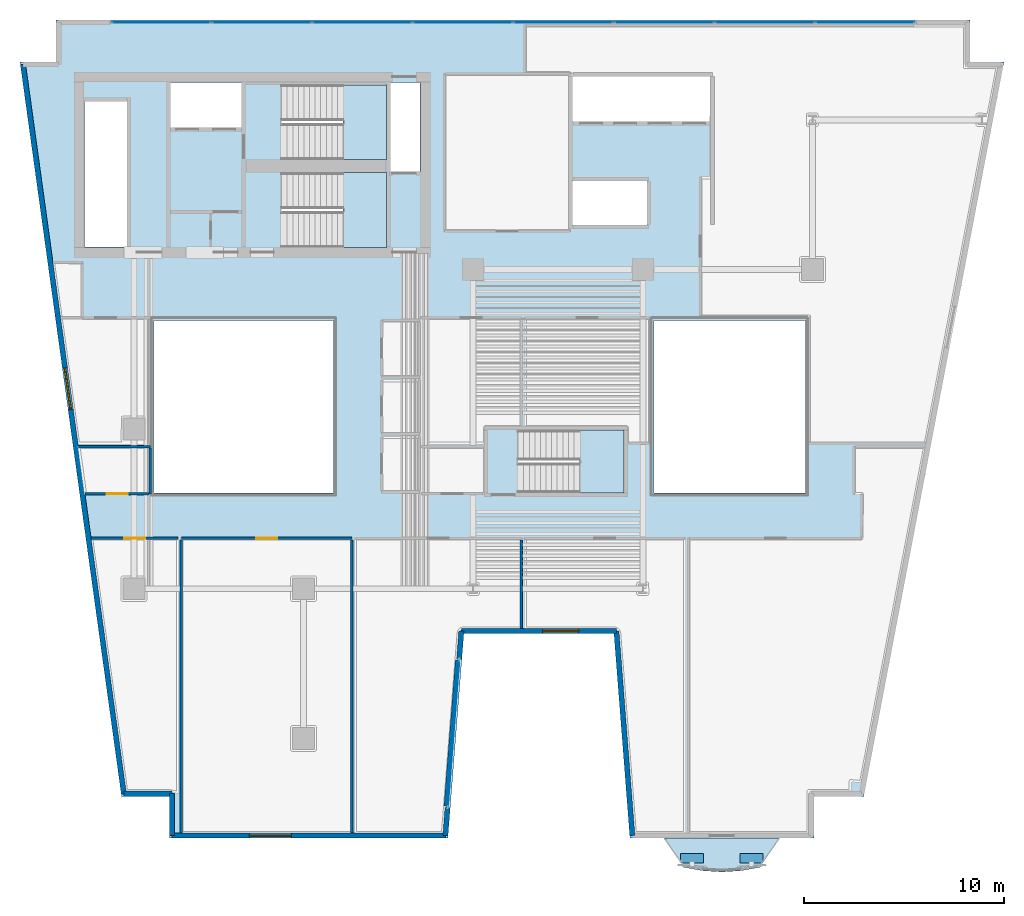
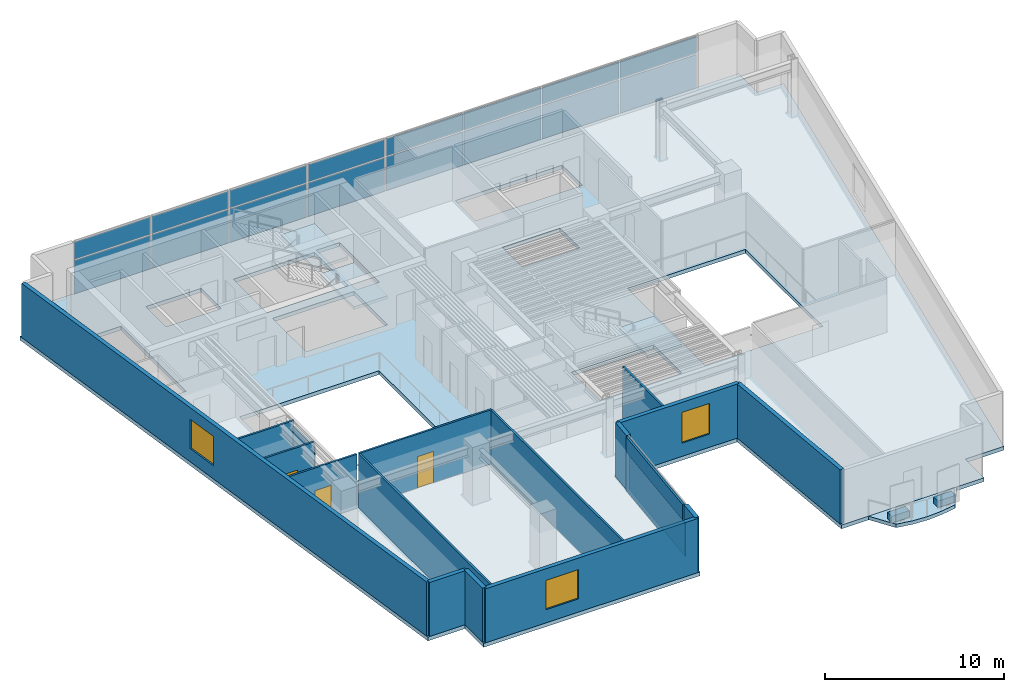
# One storey, part 5 of 12: 20 plates, 17 walls, 5 slabs, 3 doors, 3 windows, 6 openings, 5 elements without a shape of their own.
"""IFC4 building model written with IfcOpenShell, lengths in metres."""

import ifcopenshell
import ifcopenshell.guid

model = None  # the IFC model being written
_history = None  # IfcOwnerHistory: only IFC2X3 demands one
_inside = {}  # id of a spatial element -> (the spatial element, [elements in it])
_under = {}  # id of a project, library or spatial element -> (it, [spatial elements below it])
_declared = {}  # id of a project -> (the project, [libraries it declares])
_typed = {}  # id of a type object -> (the type object, [elements of that type])
_made_of = {}  # id of a material, layer set ... -> (it, [elements and type objects made of it])


def new_model(schema):
    """Start an empty IFC model of exactly this schema.

    Asked for "IFC4X3", IfcOpenShell would pick the latest addendum, in which some entities
    have other attributes; the version numbers below select the first issue.
    IFC2X3 requires an IfcOwnerHistory on every rooted entity: one is made here for all.
    """
    global model, _history
    if schema == "IFC4X3":
        model = ifcopenshell.file(schema_version=(4, 3, 0, 0))
    else:
        model = ifcopenshell.file(schema=schema)
    _inside.clear()
    _under.clear()
    _declared.clear()
    _typed.clear()
    _made_of.clear()
    _history = None
    if model.schema == "IFC2X3":
        org = make("IfcOrganization", Name="unknown")
        user = make(
            "IfcPersonAndOrganization",
            ThePerson=make("IfcPerson", FamilyName="unknown"),
            TheOrganization=org,
        )
        app = make(
            "IfcApplication",
            ApplicationDeveloper=org,
            Version="unknown",
            ApplicationFullName="unknown",
            ApplicationIdentifier="unknown",
        )
        _history = make(
            "IfcOwnerHistory",
            OwningUser=user,
            OwningApplication=app,
            ChangeAction="ADDED",
            CreationDate=0,
        )
    return model


def make(cls, **values):
    """One entity of the class cls with the attributes given. An attribute that is None is left unset."""
    return model.create_entity(
        cls, **{name: value for name, value in values.items() if value is not None}
    )


def rooted(cls, **values):
    """An entity with a GlobalId (a new one), such as an element, a storey or a relation."""
    return make(cls, GlobalId=ifcopenshell.guid.new(), OwnerHistory=_history, **values)


def si_unit(unit_type, name, prefix=None):
    """IfcSIUnit, for example si_unit("LENGTHUNIT", "METRE", prefix="MILLI")."""
    return make("IfcSIUnit", UnitType=unit_type, Prefix=prefix, Name=name)


def assignment(units):
    """IfcUnitAssignment: the units of a project."""
    return None if units is None else make("IfcUnitAssignment", Units=units)


def point(xyz):
    """IfcCartesianPoint."""
    return None if xyz is None else make("IfcCartesianPoint", Coordinates=xyz)


def direction(xyz):
    """IfcDirection."""
    return None if xyz is None else make("IfcDirection", DirectionRatios=xyz)


def frame(location, z_axis=None, x_axis=None):
    """IfcAxis2Placement3D, a coordinate frame: its origin and axes. An axis left out is left unset."""
    return make(
        "IfcAxis2Placement3D",
        Location=point(location),
        Axis=direction(z_axis),
        RefDirection=direction(x_axis),
    )


def frame_2d(location, x_axis=None):
    """IfcAxis2Placement2D, a coordinate frame in the plane: its origin and x axis."""
    return make(
        "IfcAxis2Placement2D", Location=point(location), RefDirection=direction(x_axis)
    )


def origin():
    """The frame at (0, 0, 0) with its axes left unset."""
    return frame((0.0, 0.0, 0.0))


def origin_2d():
    """The frame at (0, 0) in the plane with its x axis left unset."""
    return frame_2d((0.0, 0.0))


def place(relative_to, where):
    """IfcLocalPlacement: puts the frame where relative to a parent placement (None: the world)."""
    return make(
        "IfcLocalPlacement", PlacementRelTo=relative_to, RelativePlacement=where
    )


def context(
    kind, dimensions, precision=None, world=None, true_north=None, identifier=None
):
    """IfcGeometricRepresentationContext, for example the 3D "Model" context."""
    return make(
        "IfcGeometricRepresentationContext",
        ContextIdentifier=identifier,
        ContextType=kind,
        CoordinateSpaceDimension=dimensions,
        Precision=precision,
        WorldCoordinateSystem=world,
        TrueNorth=true_north,
    )


def subcontext(parent, identifier, kind, view, scale=None):
    """IfcGeometricRepresentationSubContext, for example "Body" below "Model"."""
    return make(
        "IfcGeometricRepresentationSubContext",
        ContextIdentifier=identifier,
        ContextType=kind,
        ParentContext=parent,
        TargetScale=scale,
        TargetView=view,
    )


def project(units=None, contexts=None):
    """IfcProject with its units and contexts."""
    return rooted(
        "IfcProject",
        Name="project",
        RepresentationContexts=contexts,
        UnitsInContext=assignment(units),
    )


def spatial(cls, under=None, at=None, **own):
    """A site, building, storey or space (cls), placed at a placement, below another one or the project."""
    s = rooted(cls, ObjectPlacement=at, **own)
    if under is not None:
        _under.setdefault(under.id(), (under, []))[1].append(s)
    return s


def polyline(points):
    """IfcPolyline through the points."""
    return make("IfcPolyline", Points=[point(p) for p in points])


def profile(cls, at=None, kind="AREA", **sizes):
    """A parametric profile (cls). Its sizes go by their IFC names, for example OverallWidth=200.0."""
    return make(cls, ProfileType=kind, Position=at, **sizes)


def rectangle(**sizes):
    """IfcRectangleProfileDef."""
    return profile("IfcRectangleProfileDef", **sizes)


def outline(outer, holes=None, kind="AREA"):
    """IfcArbitraryClosedProfileDef: a profile drawn as a closed curve; with holes, ...WithVoids."""
    if holes is None:
        return make("IfcArbitraryClosedProfileDef", ProfileType=kind, OuterCurve=outer)
    return make(
        "IfcArbitraryProfileDefWithVoids",
        ProfileType=kind,
        OuterCurve=outer,
        InnerCurves=holes,
    )


def extrude(swept, where, along, depth):
    """IfcExtrudedAreaSolid: the profile swept, set in the frame where, extruded along a direction by depth."""
    return make(
        "IfcExtrudedAreaSolid",
        SweptArea=swept,
        Position=where,
        ExtrudedDirection=direction(along),
        Depth=depth,
    )


def shape(context_of_items, identifier, shape_type, items):
    """IfcShapeRepresentation: the items that make up one representation, for example the "Body"."""
    return make(
        "IfcShapeRepresentation",
        ContextOfItems=context_of_items,
        RepresentationIdentifier=identifier,
        RepresentationType=shape_type,
        Items=items,
    )


def material(Name=None, Category=None):
    """IfcMaterial."""
    return make("IfcMaterial", Name=Name, Category=Category)


def layer(
    of_material, thickness, ventilated=None, Name=None, Category=None, Priority=None
):
    """IfcMaterialLayer: one layer of a wall or slab, of a material (None: an air gap)."""
    return make(
        "IfcMaterialLayer",
        Material=of_material,
        LayerThickness=thickness,
        IsVentilated=ventilated,
        Name=Name,
        Category=Category,
        Priority=Priority,
    )


def layer_set(layers, Name=None):
    """IfcMaterialLayerSet."""
    return make("IfcMaterialLayerSet", MaterialLayers=layers, LayerSetName=Name)


def made_of(thing, what):
    """Note that an element or type object is made of a material, layer set ...; save() writes the relation."""
    if what is not None:
        _made_of.setdefault(what.id(), (what, []))[1].append(thing)
    return thing


def type_object(cls, material=None, **own):
    """A type object (cls), such as IfcWallType, which elements share."""
    return made_of(rooted(cls, **own), material)


def element(
    cls,
    number,
    at=None,
    inside=None,
    cuts=None,
    type_object=None,
    material=None,
    context=None,
    identifier="Body",
    shape_type=None,
    held_by="IfcProductDefinitionShape",
    body=None,
    shapes=None,
    **own,
):
    """One element of the class cls, such as IfcWall. Its Tag is "e" and its number.

    at: its placement. inside: the storey or other place that contains it. cuts: it is an
    opening in that element (IfcRelVoidsElement). A single representation is given by context,
    identifier, shape_type and body (its items); several are given by shapes. held_by: the class
    of the entity that holds the representations. save() writes the other relations.
    """
    e = rooted(cls, Tag="e%d" % number, ObjectPlacement=at, **own)
    if body is not None:
        shapes = [shape(context, identifier, shape_type, body)]
    if shapes is not None:
        e.Representation = make(held_by, Representations=shapes)
    if inside is not None:
        _inside.setdefault(inside.id(), (inside, []))[1].append(e)
    if cuts is not None:
        rooted(
            "IfcRelVoidsElement", RelatingBuildingElement=cuts, RelatedOpeningElement=e
        )
    if type_object is not None:
        _typed.setdefault(type_object.id(), (type_object, []))[1].append(e)
    return made_of(e, material)


def fill(opening, filler):
    """IfcRelFillsElement: the door or window that sits in an opening."""
    return rooted(
        "IfcRelFillsElement",
        RelatingOpeningElement=opening,
        RelatedBuildingElement=filler,
    )


def aggregate(whole, parts):
    """IfcRelAggregates: a whole, such as a stair, and the parts it consists of."""
    return rooted("IfcRelAggregates", RelatingObject=whole, RelatedObjects=parts)


def save(model, path):
    """Write the relations noted so far, then the file.

    IfcRelAggregates (storeys below a building ...), IfcRelContainedInSpatialStructure (elements
    in a storey), IfcRelDefinesByType, IfcRelAssociatesMaterial and IfcRelDeclares: one each for
    every whole, place, type object, material and project.
    """
    for whole, parts in _under.values():
        aggregate(whole, parts)
    for where, things in _inside.values():
        rooted(
            "IfcRelContainedInSpatialStructure",
            RelatedElements=things,
            RelatingStructure=where,
        )
    for kind, things in _typed.values():
        rooted("IfcRelDefinesByType", RelatedObjects=things, RelatingType=kind)
    for what, things in _made_of.values():
        rooted("IfcRelAssociatesMaterial", RelatedObjects=things, RelatingMaterial=what)
    for by, libraries in _declared.values():
        rooted("IfcRelDeclares", RelatingContext=by, RelatedDefinitions=libraries)
    model.write(path)


model = new_model("IFC4")

# Units and contexts
model_context = context("Model", 3, precision=1e-05, world=origin(), true_north=direction((0.0, 1.0)))
body_context = subcontext(model_context, "Body", "Model", "MODEL_VIEW")
ifc_project = project(units=[si_unit("LENGTHUNIT", "METRE"), si_unit("AREAUNIT", "SQUARE_METRE"), si_unit("VOLUMEUNIT", "CUBIC_METRE"), si_unit("PLANEANGLEUNIT", "RADIAN"), si_unit("MASSUNIT", "GRAM", prefix="KILO")], contexts=[model_context])

# Site, building, storey
site_placement = place(None, origin())
site = spatial("IfcSite", under=ifc_project, at=site_placement, CompositionType="ELEMENT")
building_placement = place(site_placement, origin())
building = spatial("IfcBuilding", under=site, at=building_placement, Name="Caeloran Harvest Quay", CompositionType="ELEMENT")
storey_placement = place(building_placement, frame((0.0, 0.0, 154.85009765625)))
storey = spatial("IfcBuildingStorey", under=building, at=storey_placement, Name="L36", CompositionType="ELEMENT", Elevation=154.85009765625)

# Slab
ifc_material_1 = material(Name="Concrete C50/60", Category="concrete")
ifc_layer_1 = layer(ifc_material_1, 0.239990234375, Name="Concrete C50/60")
ifc_layer_set_1 = layer_set([ifc_layer_1], Name="Concrete C50/60")
slab_type_1 = type_object("IfcSlabType", Name="BALCONY-BL-240", PredefinedType="FLOOR", material=ifc_layer_set_1)
slab_1_placement = place(storey_placement, frame((0.0, 0.0, -0.239990234375)))
element("IfcSlab", 1, at=slab_1_placement, inside=storey, type_object=slab_type_1, Name="L36 Scalloped Cantilevered Planted Balcony Slab", PredefinedType="FLOOR", context=body_context, shape_type="SweptSolid", body=[
    extrude(outline(polyline([(39.869873046875, 1.04345703125), (38.913818359375, 0.8701171875), (37.95751953125, 0.806884765625), (37.001220703125, 0.8701171875), (36.045166015625, 1.04345703125), (35.10205078125, 2.5), (40.81298828125, 2.5), (39.869873046875, 1.04345703125)])), origin(), (0.0, 0.0, 1.0), 0.239990234375),
])

# Curtain wall, plates
ifc_material_2 = material(Name="Aluminium 6063-T6 and Low-E Glazing", Category="aluminium")
ifc_layer_2 = layer(ifc_material_2, 0.22998046875, Name="Aluminium 6063-T6 and Low-E Glazing")
ifc_layer_set_2 = layer_set([ifc_layer_2], Name="Aluminium 6063-T6 and Low-E Glazing")
curtain_wall_type = type_object("IfcCurtainWallType", Name="CW-SYS-CW-6", PredefinedType="USERDEFINED", material=ifc_layer_set_2)
curtain_wall_1_placement = place(storey_placement, origin())
curtain_wall_1 = element("IfcCurtainWall", 2, at=curtain_wall_1_placement, inside=storey, type_object=curtain_wall_type, Name="L36 Unitised Curtain Wall CW-6 Run 6", ObjectType="CURTAIN_WALL", PredefinedType="USERDEFINED")
ifc_material_3 = material(Name="Low-E Double Glazed Vision Glass Unit", Category="glass")
ifc_layer_3 = layer(ifc_material_3, 0.035888671875, Name="Low-E Double Glazed Vision Glass Unit")
ifc_layer_set_3 = layer_set([ifc_layer_3], Name="Low-E Double Glazed Vision Glass Unit")
plate_type_1 = type_object("IfcPlateType", Name="CW-VISION-PANEL", PredefinedType="CURTAIN_PANEL", material=ifc_layer_set_3)
plate_1_placement = place(storey_placement, frame((9.871337890625, 43.3701171875, 0.080078125), z_axis=(0.0, 0.0, 1.0), x_axis=(1.0, 0.0, 0.0)))
plate_1 = element("IfcPlate", 3, at=plate_1_placement, type_object=plate_type_1, Name="CW-6 panel 1.1", PredefinedType="CURTAIN_PANEL", context=body_context, shape_type="SweptSolid", body=[
    extrude(rectangle(XDim=4.922607421875, YDim=0.035888671875, at=origin_2d()), origin(), (0.0, 0.0, 1.0), 2.280029296875),
])
plate_2_placement = place(storey_placement, frame((9.871337890625, 43.3701171875, 2.43994140625), z_axis=(0.0, 0.0, 1.0), x_axis=(1.0, 0.0, 0.0)))
plate_2 = element("IfcPlate", 4, at=plate_2_placement, type_object=plate_type_1, Name="CW-6 panel 1.2", PredefinedType="CURTAIN_PANEL", context=body_context, shape_type="SweptSolid", body=[
    extrude(rectangle(XDim=4.922607421875, YDim=0.035888671875, at=origin_2d()), origin(), (0.0, 0.0, 1.0), 1.169921875),
])
plate_3_placement = place(storey_placement, frame((14.893798828125, 43.3701171875, 0.080078125), z_axis=(0.0, 0.0, 1.0), x_axis=(1.0, 0.0, 0.0)))
plate_3 = element("IfcPlate", 5, at=plate_3_placement, type_object=plate_type_1, Name="CW-6 panel 2.1", PredefinedType="CURTAIN_PANEL", context=body_context, shape_type="SweptSolid", body=[
    extrude(rectangle(XDim=4.96240234375, YDim=0.035888671875, at=origin_2d()), origin(), (0.0, 0.0, 1.0), 2.280029296875),
])
plate_4_placement = place(storey_placement, frame((14.893798828125, 43.3701171875, 2.43994140625), z_axis=(0.0, 0.0, 1.0), x_axis=(1.0, 0.0, 0.0)))
plate_4 = element("IfcPlate", 6, at=plate_4_placement, type_object=plate_type_1, Name="CW-6 panel 2.2", PredefinedType="CURTAIN_PANEL", context=body_context, shape_type="SweptSolid", body=[
    extrude(rectangle(XDim=4.96240234375, YDim=0.035888671875, at=origin_2d()), origin(), (0.0, 0.0, 1.0), 1.169921875),
])
plate_5_placement = place(storey_placement, frame((19.936279296875, 43.3701171875, 0.080078125), z_axis=(0.0, 0.0, 1.0), x_axis=(1.0, 0.0, 0.0)))
plate_5 = element("IfcPlate", 7, at=plate_5_placement, type_object=plate_type_1, Name="CW-6 panel 3.1", PredefinedType="CURTAIN_PANEL", context=body_context, shape_type="SweptSolid", body=[
    extrude(rectangle(XDim=4.96240234375, YDim=0.035888671875, at=origin_2d()), origin(), (0.0, 0.0, 1.0), 2.280029296875),
])
plate_6_placement = place(storey_placement, frame((19.936279296875, 43.3701171875, 2.43994140625), z_axis=(0.0, 0.0, 1.0), x_axis=(1.0, 0.0, 0.0)))
plate_6 = element("IfcPlate", 8, at=plate_6_placement, type_object=plate_type_1, Name="CW-6 panel 3.2", PredefinedType="CURTAIN_PANEL", context=body_context, shape_type="SweptSolid", body=[
    extrude(rectangle(XDim=4.96240234375, YDim=0.035888671875, at=origin_2d()), origin(), (0.0, 0.0, 1.0), 1.169921875),
])
plate_7_placement = place(storey_placement, frame((24.978759765625, 43.3701171875, 0.080078125), z_axis=(0.0, 0.0, 1.0), x_axis=(1.0, 0.0, 0.0)))
plate_7 = element("IfcPlate", 9, at=plate_7_placement, type_object=plate_type_1, Name="CW-6 panel 4.1", PredefinedType="CURTAIN_PANEL", context=body_context, shape_type="SweptSolid", body=[
    extrude(rectangle(XDim=4.96240234375, YDim=0.035888671875, at=origin_2d()), origin(), (0.0, 0.0, 1.0), 2.280029296875),
])
plate_8_placement = place(storey_placement, frame((24.978759765625, 43.3701171875, 2.43994140625), z_axis=(0.0, 0.0, 1.0), x_axis=(1.0, 0.0, 0.0)))
plate_8 = element("IfcPlate", 10, at=plate_8_placement, type_object=plate_type_1, Name="CW-6 panel 4.2", PredefinedType="CURTAIN_PANEL", context=body_context, shape_type="SweptSolid", body=[
    extrude(rectangle(XDim=4.96240234375, YDim=0.035888671875, at=origin_2d()), origin(), (0.0, 0.0, 1.0), 1.169921875),
])
plate_9_placement = place(storey_placement, frame((30.021240234375, 43.3701171875, 0.080078125), z_axis=(0.0, 0.0, 1.0), x_axis=(1.0, 0.0, 0.0)))
plate_9 = element("IfcPlate", 11, at=plate_9_placement, type_object=plate_type_1, Name="CW-6 panel 5.1", PredefinedType="CURTAIN_PANEL", context=body_context, shape_type="SweptSolid", body=[
    extrude(rectangle(XDim=4.96240234375, YDim=0.035888671875, at=origin_2d()), origin(), (0.0, 0.0, 1.0), 2.280029296875),
])
plate_10_placement = place(storey_placement, frame((30.021240234375, 43.3701171875, 2.43994140625), z_axis=(0.0, 0.0, 1.0), x_axis=(1.0, 0.0, 0.0)))
plate_10 = element("IfcPlate", 12, at=plate_10_placement, type_object=plate_type_1, Name="CW-6 panel 5.2", PredefinedType="CURTAIN_PANEL", context=body_context, shape_type="SweptSolid", body=[
    extrude(rectangle(XDim=4.96240234375, YDim=0.035888671875, at=origin_2d()), origin(), (0.0, 0.0, 1.0), 1.169921875),
])
plate_11_placement = place(storey_placement, frame((35.063720703125, 43.3701171875, 0.080078125), z_axis=(0.0, 0.0, 1.0), x_axis=(1.0, 0.0, 0.0)))
plate_11 = element("IfcPlate", 13, at=plate_11_placement, type_object=plate_type_1, Name="CW-6 panel 6.1", PredefinedType="CURTAIN_PANEL", context=body_context, shape_type="SweptSolid", body=[
    extrude(rectangle(XDim=4.96240234375, YDim=0.035888671875, at=origin_2d()), origin(), (0.0, 0.0, 1.0), 2.280029296875),
])
plate_12_placement = place(storey_placement, frame((35.063720703125, 43.3701171875, 2.43994140625), z_axis=(0.0, 0.0, 1.0), x_axis=(1.0, 0.0, 0.0)))
plate_12 = element("IfcPlate", 14, at=plate_12_placement, type_object=plate_type_1, Name="CW-6 panel 6.2", PredefinedType="CURTAIN_PANEL", context=body_context, shape_type="SweptSolid", body=[
    extrude(rectangle(XDim=4.96240234375, YDim=0.035888671875, at=origin_2d()), origin(), (0.0, 0.0, 1.0), 1.169921875),
])
plate_13_placement = place(storey_placement, frame((40.106201171875, 43.3701171875, 0.080078125), z_axis=(0.0, 0.0, 1.0), x_axis=(1.0, 0.0, 0.0)))
plate_13 = element("IfcPlate", 15, at=plate_13_placement, type_object=plate_type_1, Name="CW-6 panel 7.1", PredefinedType="CURTAIN_PANEL", context=body_context, shape_type="SweptSolid", body=[
    extrude(rectangle(XDim=4.96240234375, YDim=0.035888671875, at=origin_2d()), origin(), (0.0, 0.0, 1.0), 2.280029296875),
])
plate_14_placement = place(storey_placement, frame((40.106201171875, 43.3701171875, 2.43994140625), z_axis=(0.0, 0.0, 1.0), x_axis=(1.0, 0.0, 0.0)))
plate_14 = element("IfcPlate", 16, at=plate_14_placement, type_object=plate_type_1, Name="CW-6 panel 7.2", PredefinedType="CURTAIN_PANEL", context=body_context, shape_type="SweptSolid", body=[
    extrude(rectangle(XDim=4.96240234375, YDim=0.035888671875, at=origin_2d()), origin(), (0.0, 0.0, 1.0), 1.169921875),
])
plate_15_placement = place(storey_placement, frame((45.128662109375, 43.3701171875, 0.080078125), z_axis=(0.0, 0.0, 1.0), x_axis=(1.0, 0.0, 0.0)))
plate_15 = element("IfcPlate", 17, at=plate_15_placement, type_object=plate_type_1, Name="CW-6 panel 8.1", PredefinedType="CURTAIN_PANEL", context=body_context, shape_type="SweptSolid", body=[
    extrude(rectangle(XDim=4.922607421875, YDim=0.035888671875, at=origin_2d()), origin(), (0.0, 0.0, 1.0), 2.280029296875),
])
plate_16_placement = place(storey_placement, frame((45.128662109375, 43.3701171875, 2.43994140625), z_axis=(0.0, 0.0, 1.0), x_axis=(1.0, 0.0, 0.0)))
plate_16 = element("IfcPlate", 18, at=plate_16_placement, type_object=plate_type_1, Name="CW-6 panel 8.2", PredefinedType="CURTAIN_PANEL", context=body_context, shape_type="SweptSolid", body=[
    extrude(rectangle(XDim=4.922607421875, YDim=0.035888671875, at=origin_2d()), origin(), (0.0, 0.0, 1.0), 1.169921875),
])
aggregate(curtain_wall_1, [plate_1, plate_2, plate_3, plate_4, plate_5, plate_6, plate_7, plate_8, plate_9, plate_10, plate_11, plate_12, plate_13, plate_14, plate_15, plate_16])

curtain_wall_2_placement = place(storey_placement, origin())
curtain_wall_2 = element("IfcCurtainWall", 19, at=curtain_wall_2_placement, inside=storey, type_object=curtain_wall_type, Name="L36 Unitised Curtain Wall CW-6 Run 15", ObjectType="CURTAIN_WALL", PredefinedType="USERDEFINED")
plate_17_placement = place(storey_placement, frame((24.509765625, 7.7548828125, 0.080078125), z_axis=(0.0, 0.0, 1.0), x_axis=(-0.077821861046, -0.996967280277, 0.0)))
plate_17 = element("IfcPlate", 20, at=plate_17_placement, type_object=plate_type_1, Name="CW-6 panel 1.1", PredefinedType="CURTAIN_PANEL", context=body_context, shape_type="SweptSolid", body=[
    extrude(rectangle(XDim=7.3212890625, YDim=0.035888671875, at=origin_2d()), origin(), (0.0, 0.0, 1.0), 2.280029296875),
])
plate_18_placement = place(storey_placement, frame((24.509765625, 7.7548828125, 2.43994140625), z_axis=(0.0, 0.0, 1.0), x_axis=(-0.077821861046, -0.996967280277, 0.0)))
plate_18 = element("IfcPlate", 21, at=plate_18_placement, type_object=plate_type_1, Name="CW-6 panel 1.2", PredefinedType="CURTAIN_PANEL", context=body_context, shape_type="SweptSolid", body=[
    extrude(rectangle(XDim=7.3212890625, YDim=0.035888671875, at=origin_2d()), origin(), (0.0, 0.0, 1.0), 1.169921875),
])
aggregate(curtain_wall_2, [plate_17, plate_18])

# Plates
ifc_material_4 = material(Name="Precast concrete C50/60", Category="concrete")
ifc_layer_4 = layer(ifc_material_4, 0.449951171875, Name="Precast concrete C50/60")
ifc_layer_set_4 = layer_set([ifc_layer_4], Name="Precast concrete C50/60")
plate_type_2 = type_object("IfcPlateType", Name="PLANTER-TROUGH-450", PredefinedType="USERDEFINED", material=ifc_layer_set_4)
for number, where, z_axis, x_axis, name in (
    (22, (39.44921875, 1.49951171875, 0.0), (0.0, 0.0, 1.0), (1.0, 0.0, 0.0), "L36 Balcony Vertical-Greenery Precast PLANTER Trough 1"),
    (23, (36.4658203125, 1.49951171875, 0.0), (0.0, 0.0, 1.0), (1.0, 0.0, 0.0), "L36 Balcony Vertical-Greenery Precast PLANTER Trough 2"),
):
    element("IfcPlate", number, at=place(storey_placement, frame(where, z_axis=z_axis, x_axis=x_axis)), inside=storey, type_object=plate_type_2, Name=name, ObjectType="PLANTER", PredefinedType="USERDEFINED", context=body_context, shape_type="SweptSolid", body=[
        extrude(rectangle(XDim=1.14990234375, YDim=0.47998046875, at=origin_2d()), origin(), (0.0, 0.0, 1.0), 0.449951171875),
    ])

# Slab
ifc_layer_5 = layer(ifc_material_1, 0.260009765625, Name="Concrete C50/60")
ifc_layer_set_5 = layer_set([ifc_layer_5], Name="Concrete C50/60")
slab_type_2 = type_object("IfcSlabType", Name="SLAB-FS-260", PredefinedType="FLOOR", material=ifc_layer_set_5)
slab_2_placement = place(storey_placement, frame((0.0, 0.0, -0.260009765625)))
element("IfcSlab", 24, at=slab_2_placement, inside=storey, type_object=slab_type_2, Name="L36 Structural Floor Slab", PredefinedType="FLOOR", context=body_context, shape_type="SweptSolid", body=[
    extrude(outline(polyline([(10.27001953125, 2.5), (24.22998046875, 2.5), (25.030029296875, 12.75), (32.554931640625, 12.75), (33.35498046875, 2.5), (42.570068359375, 2.5), (42.570068359375, 4.60009765625), (45.071044921875, 4.60009765625), (52.09912109375, 41.39990234375), (50.39990234375, 41.39990234375), (50.39990234375, 43.5), (4.60009765625, 43.5), (4.60009765625, 41.39990234375), (2.790283203125, 41.39990234375), (7.879638671875, 4.60009765625), (10.27001953125, 4.60009765625), (10.27001953125, 2.5)]), holes=[polyline([(27.75, 19.800048828125), (27.75, 22.949951171875), (33.050048828125, 22.949951171875), (33.050048828125, 19.800048828125), (27.75, 19.800048828125)]), polyline([(18.5, 19.800048828125), (9.5, 19.800048828125), (9.5, 28.449951171875), (18.5, 28.449951171875), (18.5, 19.800048828125)]), polyline([(42.14990234375, 19.800048828125), (34.550048828125, 19.800048828125), (34.550048828125, 28.449951171875), (42.14990234375, 28.449951171875), (42.14990234375, 19.800048828125)]), polyline([(15.89990234375, 35.85009765625), (21.14990234375, 35.85009765625), (21.14990234375, 32.10009765625), (15.89990234375, 32.10009765625), (15.89990234375, 35.85009765625)]), polyline([(30.47998046875, 33.219970703125), (30.47998046875, 35.429931640625), (34.199951171875, 35.429931640625), (34.199951171875, 33.219970703125), (30.47998046875, 33.219970703125)]), polyline([(8.159912109375, 32.1201171875), (6.02001953125, 32.1201171875), (6.02001953125, 39.419921875), (8.159912109375, 39.419921875), (8.159912109375, 32.1201171875)]), polyline([(22.830078125, 35.919921875), (21.35009765625, 35.919921875), (21.35009765625, 40.3798828125), (22.830078125, 40.3798828125), (22.830078125, 35.919921875)]), polyline([(15.89990234375, 36.5), (15.89990234375, 40.25), (21.14990234375, 40.25), (21.14990234375, 36.5), (15.89990234375, 36.5)]), polyline([(10.320068359375, 38.1201171875), (10.320068359375, 40.3798828125), (13.89990234375, 40.3798828125), (13.89990234375, 38.1201171875), (10.320068359375, 38.1201171875)]), polyline([(30.47998046875, 38.419921875), (30.47998046875, 40.679931640625), (37.3798828125, 40.679931640625), (37.3798828125, 38.419921875), (30.47998046875, 38.419921875)])]), origin(), (0.0, 0.0, 1.0), 0.260009765625),
])

# Stair, slab
stair_type_1 = type_object("IfcStairType", Name="STAIR-STC-180", PredefinedType="HALF_TURN_STAIR", material=ifc_material_1)
stair_1_placement = place(storey_placement, origin())
stair_1 = element("IfcStair", 25, at=stair_1_placement, inside=storey, type_object=stair_type_1, Name="L36 Core Pressurized Exit Stair ST-C1", PredefinedType="HALF_TURN_STAIR")
ifc_layer_6 = layer(ifc_material_1, 0.219970703125, Name="Concrete C50/60")
ifc_layer_set_6 = layer_set([ifc_layer_6], Name="Concrete C50/60")
slab_type_3 = type_object("IfcSlabType", Name="STAIR-LANDING-220", PredefinedType="LANDING", material=ifc_layer_set_6)
slab_3_placement = place(storey_placement, frame((0.0, 0.0, 1.77490234375)))
slab_3 = element("IfcSlab", 26, at=slab_3_placement, type_object=slab_type_3, Name="ST-C1 landing 1", PredefinedType="LANDING", context=body_context, shape_type="SweptSolid", body=[
    extrude(outline(polyline([(18.97998046875, 36.5), (21.14990234375, 36.5), (21.14990234375, 40.25), (18.97998046875, 40.25), (18.97998046875, 36.5)])), origin(), (0.0, 0.0, 1.0), 0.199951171875),
])
aggregate(stair_1, [slab_3])

stair_2_placement = place(storey_placement, origin())
stair_2 = element("IfcStair", 27, at=stair_2_placement, inside=storey, type_object=stair_type_1, Name="L36 Core Pressurized Exit Stair ST-C2", PredefinedType="HALF_TURN_STAIR")
slab_4_placement = place(storey_placement, frame((0.0, 0.0, 1.77490234375)))
slab_4 = element("IfcSlab", 28, at=slab_4_placement, type_object=slab_type_3, Name="ST-C2 landing 1", PredefinedType="LANDING", context=body_context, shape_type="SweptSolid", body=[
    extrude(outline(polyline([(18.97998046875, 32.10009765625), (21.14990234375, 32.10009765625), (21.14990234375, 35.85009765625), (18.97998046875, 35.85009765625), (18.97998046875, 32.10009765625)])), origin(), (0.0, 0.0, 1.0), 0.199951171875),
])
aggregate(stair_2, [slab_4])

stair_type_2 = type_object("IfcStairType", Name="STAIR-STW-150", PredefinedType="HALF_TURN_STAIR", material=ifc_material_1)
stair_3_placement = place(storey_placement, origin())
stair_3 = element("IfcStair", 29, at=stair_3_placement, inside=storey, type_object=stair_type_2, Name="L36 East Wing Protected Exit Stair ST-W1", PredefinedType="HALF_TURN_STAIR")
slab_5_placement = place(storey_placement, frame((0.0, 0.0, 1.77490234375)))
slab_5 = element("IfcSlab", 30, at=slab_5_placement, type_object=slab_type_3, Name="ST-W1 landing 1", PredefinedType="LANDING", context=body_context, shape_type="SweptSolid", body=[
    extrude(outline(polyline([(30.830078125, 19.800048828125), (33.050048828125, 19.800048828125), (33.050048828125, 22.949951171875), (30.830078125, 22.949951171875), (30.830078125, 19.800048828125)])), origin(), (0.0, 0.0, 1.0), 0.199951171875),
])
aggregate(stair_3, [slab_5])

# Walls
ifc_layer_7 = layer(ifc_material_4, 0.260009765625, Name="Precast concrete C50/60")
ifc_layer_set_7 = layer_set([ifc_layer_7], Name="Precast concrete C50/60")
wall_type_1 = type_object("IfcWallType", Name="ENV-WALL-EW-260", PredefinedType="STANDARD", material=ifc_layer_set_7)
wall_1_placement = place(storey_placement, frame((10.39990234375, 2.6298828125, 0.0), z_axis=(0.0, 0.0, 1.0), x_axis=(0.0, 1.0, 0.0)))
element("IfcWall", 31, at=wall_1_placement, inside=storey, type_object=wall_type_1, Name="L36 Exterior Precast Concrete Facade Wall 1", PredefinedType="STANDARD", context=body_context, shape_type="SweptSolid", body=[
    extrude(rectangle(XDim=2.10009765625, YDim=0.260009765625, at=frame_2d((1.050048828125, 0.0))), origin(), (0.0, 0.0, 1.0), 3.68994140625),
])
wall_2_placement = place(storey_placement, frame((10.39990234375, 4.72998046875, 0.0), z_axis=(0.0, 0.0, 1.0), x_axis=(-1.0, 0.0, 0.0)))
element("IfcWall", 32, at=wall_2_placement, inside=storey, type_object=wall_type_1, Name="L36 Exterior Precast Concrete Facade Wall 2", PredefinedType="STANDARD", context=body_context, shape_type="SweptSolid", body=[
    extrude(rectangle(XDim=2.406982421875, YDim=0.260009765625, at=frame_2d((1.20361328125, 0.0))), origin(), (0.0, 0.0, 1.0), 3.68994140625),
])

# Wall, opening, window
wall_3_placement = place(storey_placement, frame((7.992919921875, 4.72998046875, 0.0), z_axis=(0.0, 0.0, 1.0), x_axis=(-0.136989009016, 0.990572567462, 0.0)))
wall_3 = element("IfcWall", 33, at=wall_3_placement, inside=storey, type_object=wall_type_1, Name="L36 Exterior Precast Concrete Facade Wall 3", PredefinedType="STANDARD", context=body_context, shape_type="SweptSolid", body=[
    extrude(rectangle(XDim=36.8876953125, YDim=0.260009765625, at=frame_2d((18.44384765625, 0.0))), origin(), (0.0, 0.0, 1.0), 3.68994140625),
])
opening_1_placement = place(wall_3_placement, frame((19.43505859375, 0.0, 0.89990234375)))
opening_1 = element("IfcOpeningElement", 34, at=opening_1_placement, cuts=wall_3, Name="Opening W-06", PredefinedType="OPENING", context=body_context, shape_type="SweptSolid", body=[
    extrude(rectangle(XDim=2.10009765625, YDim=2.0, at=frame_2d((1.050048828125, 1.0))), frame((0.0, 0.14013671875, 0.0), z_axis=(0.0, -1.0, 0.0), x_axis=(1.0, 0.0, 0.0)), (0.0, 0.0, 1.0), 0.280029296875),
])
ifc_material_5 = material(Name="Aluminium-Framed Low-E Laminated Glass", Category="aluminium")
window_type_1 = type_object("IfcWindowType", Name="WIN-W-06", PartitioningType="DOUBLE_PANEL_VERTICAL", PredefinedType="WINDOW", material=ifc_material_5)
window_1_placement = place(opening_1_placement, origin())
window_1 = element("IfcWindow", 35, at=window_1_placement, inside=storey, type_object=window_type_1, Name="L36 Facade Punched Window W-06", OverallHeight=2.0, OverallWidth=2.10009765625, PartitioningType="DOUBLE_PANEL_VERTICAL", PredefinedType="WINDOW", context=body_context, shape_type="SweptSolid", body=[
    extrude(rectangle(XDim=2.10009765625, YDim=2.0, at=frame_2d((1.050048828125, 1.0))), frame((0.0, 0.030029296875, 0.0), z_axis=(0.0, -1.0, 0.0), x_axis=(1.0, 0.0, 0.0)), (0.0, 0.0, 1.0), 0.06005859375),
])
fill(opening_1, window_1)

# Wall
wall_4_placement = place(storey_placement, frame((33.47509765625, 2.6298828125, 0.0), z_axis=(0.0, 0.0, 1.0), x_axis=(-0.077793257511, 0.996969512616, 0.0)))
element("IfcWall", 36, at=wall_4_placement, inside=storey, type_object=wall_type_1, Name="L36 Exterior Precast Concrete Facade Wall 13", PredefinedType="STANDARD", context=body_context, shape_type="SweptSolid", body=[
    extrude(rectangle(XDim=10.28125, YDim=0.260009765625, at=frame_2d((5.140625, 0.0))), origin(), (0.0, 0.0, 1.0), 3.68994140625),
])

# Wall, opening, window
wall_5_placement = place(storey_placement, frame((32.67529296875, 12.8798828125, 0.0), z_axis=(0.0, 0.0, 1.0), x_axis=(-1.0, 0.0, 0.0)))
wall_5 = element("IfcWall", 37, at=wall_5_placement, inside=storey, type_object=wall_type_1, Name="L36 Exterior Precast Concrete Facade Wall 14", PredefinedType="STANDARD", context=body_context, shape_type="SweptSolid", body=[
    extrude(rectangle(XDim=7.765380859375, YDim=0.260009765625, at=frame_2d((3.8828125, 0.0))), origin(), (0.0, 0.0, 1.0), 3.68994140625),
])
opening_2_placement = place(wall_5_placement, frame((1.89599609375, 0.0, 0.89990234375)))
opening_2 = element("IfcOpeningElement", 38, at=opening_2_placement, cuts=wall_5, Name="Opening W-01", PredefinedType="OPENING", context=body_context, shape_type="SweptSolid", body=[
    extrude(rectangle(XDim=1.800048828125, YDim=2.10009765625, at=frame_2d((0.89990234375, 1.050048828125))), frame((0.0, 0.14013671875, 0.0), z_axis=(0.0, -1.0, 0.0), x_axis=(1.0, 0.0, 0.0)), (0.0, 0.0, 1.0), 0.280029296875),
])
window_type_2 = type_object("IfcWindowType", Name="WIN-W-01", PartitioningType="SINGLE_PANEL", PredefinedType="WINDOW", material=ifc_material_5)
window_2_placement = place(opening_2_placement, origin())
window_2 = element("IfcWindow", 39, at=window_2_placement, inside=storey, type_object=window_type_2, Name="L36 Facade Punched Window W-01", OverallHeight=2.10009765625, OverallWidth=1.800048828125, PartitioningType="SINGLE_PANEL", PredefinedType="WINDOW", context=body_context, shape_type="SweptSolid", body=[
    extrude(rectangle(XDim=1.800048828125, YDim=2.10009765625, at=frame_2d((0.89990234375, 1.050048828125))), frame((0.0, 0.030029296875, 0.0), z_axis=(0.0, -1.0, 0.0), x_axis=(1.0, 0.0, 0.0)), (0.0, 0.0, 1.0), 0.06005859375),
])
fill(opening_2, window_2)

# Walls
for number, where, z_axis, x_axis, name in (
    (40, (24.909912109375, 12.8798828125, 0.0), (0.0, 0.0, 1.0), (-0.077949956455, -0.996957273051, 0.0), "L36 Exterior Facade Corner Pier Wall 15A"),
    (41, (24.21875, 4.025634765625, 0.0), (0.0, 0.0, 1.0), (-0.077776627829, -0.996970810086, 0.0), "L36 Exterior Facade Corner Pier Wall 15B"),
):
    element("IfcWall", number, at=place(storey_placement, frame(where, z_axis=z_axis, x_axis=x_axis)), inside=storey, type_object=wall_type_1, Name=name, PredefinedType="STANDARD", context=body_context, shape_type="SweptSolid", body=[
        extrude(rectangle(XDim=1.39990234375, YDim=0.260009765625, at=frame_2d((0.699951171875, 0.0))), origin(), (0.0, 0.0, 1.0), 3.68994140625),
    ])

# Wall, opening, window
wall_6_placement = place(storey_placement, frame((24.10986328125, 2.6298828125, 0.0), z_axis=(0.0, 0.0, 1.0), x_axis=(-1.0, 0.0, 0.0)))
wall_6 = element("IfcWall", 42, at=wall_6_placement, inside=storey, type_object=wall_type_1, Name="L36 Exterior Precast Concrete Facade Wall 16", PredefinedType="STANDARD", context=body_context, shape_type="SweptSolid", body=[
    extrude(rectangle(XDim=13.7099609375, YDim=0.260009765625, at=frame_2d((6.85498046875, 0.0))), origin(), (0.0, 0.0, 1.0), 3.68994140625),
])
opening_3_placement = place(wall_6_placement, frame((7.72412109375, 0.0, 0.89990234375)))
opening_3 = element("IfcOpeningElement", 43, at=opening_3_placement, cuts=wall_6, Name="Opening W-06", PredefinedType="OPENING", context=body_context, shape_type="SweptSolid", body=[
    extrude(rectangle(XDim=2.10009765625, YDim=2.0, at=frame_2d((1.050048828125, 1.0))), frame((0.0, 0.14013671875, 0.0), z_axis=(0.0, -1.0, 0.0), x_axis=(1.0, 0.0, 0.0)), (0.0, 0.0, 1.0), 0.280029296875),
])
window_3_placement = place(opening_3_placement, origin())
window_3 = element("IfcWindow", 44, at=window_3_placement, inside=storey, type_object=window_type_1, Name="L36 Facade Punched Window W-06", OverallHeight=2.0, OverallWidth=2.10009765625, PartitioningType="DOUBLE_PANEL_VERTICAL", PredefinedType="WINDOW", context=body_context, shape_type="SweptSolid", body=[
    extrude(rectangle(XDim=2.10009765625, YDim=2.0, at=frame_2d((1.050048828125, 1.0))), frame((0.0, 0.030029296875, 0.0), z_axis=(0.0, -1.0, 0.0), x_axis=(1.0, 0.0, 0.0)), (0.0, 0.0, 1.0), 0.06005859375),
])
fill(opening_3, window_3)

# Wall, opening, door
ifc_material_6 = material(Name="Twin-Stud Mineral-Wool Acoustic Gypsum Partition", Category="gypsum")
ifc_layer_8 = layer(ifc_material_6, 0.125, Name="Twin-Stud Mineral-Wool Acoustic Gypsum Partition")
ifc_layer_set_8 = layer_set([ifc_layer_8], Name="Twin-Stud Mineral-Wool Acoustic Gypsum Partition")
wall_type_2 = type_object("IfcWallType", Name="INT-WALL-PW-125", PredefinedType="PARTITIONING", material=ifc_layer_set_8)
wall_7_placement = place(storey_placement, frame((10.8798828125, 17.52001953125, 0.0), z_axis=(0.0, 0.0, 1.0), x_axis=(1.0, 0.0, 0.0)))
wall_7 = element("IfcWall", 45, at=wall_7_placement, inside=storey, type_object=wall_type_2, Name="Supply-Chain Digital Trading Floor Office Partition Wall", PredefinedType="PARTITIONING", context=body_context, shape_type="SweptSolid", body=[
    extrude(rectangle(XDim=8.5400390625, YDim=0.125, at=frame_2d((4.27001953125, 0.0))), origin(), (0.0, 0.0, 1.0), 3.68994140625),
])
opening_4_placement = place(wall_7_placement, frame((3.7451171875, 0.0, 0.0)))
opening_4 = element("IfcOpeningElement", 46, at=opening_4_placement, cuts=wall_7, Name="Opening ID-03", PredefinedType="OPENING", context=body_context, shape_type="SweptSolid", body=[
    extrude(rectangle(XDim=1.050048828125, YDim=2.14990234375, at=frame_2d((0.52490234375, 1.074951171875))), frame((0.0, 0.072509765625, 0.0), z_axis=(0.0, -1.0, 0.0), x_axis=(1.0, 0.0, 0.0)), (0.0, 0.0, 1.0), 0.14501953125),
])
ifc_material_7 = material(Name="FSC Solid-Core Oak Timber Leaf", Category="wood")
door_type = type_object("IfcDoorType", Name="INTDOOR-ID-03", OperationType="NOTDEFINED", PredefinedType="DOOR", material=ifc_material_7)
door_1_placement = place(opening_4_placement, origin())
door_1 = element("IfcDoor", 47, at=door_1_placement, inside=storey, type_object=door_type, Name="Supply-Chain Digital Trading Floor Office Access Door", OperationType="SINGLE_SWING_RIGHT", OverallHeight=2.14990234375, OverallWidth=1.050048828125, PredefinedType="DOOR", context=body_context, shape_type="SweptSolid", body=[
    extrude(rectangle(XDim=1.050048828125, YDim=2.14990234375, at=frame_2d((0.52490234375, 1.074951171875))), frame((0.0, 0.02490234375, 0.0), z_axis=(0.0, -1.0, 0.0), x_axis=(1.0, 0.0, 0.0)), (0.0, 0.0, 1.0), 0.050048828125),
])
fill(opening_4, door_1)

# Walls
for number, where, z_axis, x_axis, name in (
    (48, (19.419921875, 17.452392578125, 0.0), (0.0, 0.0, 1.0), (0.0, -1.0, 0.0), "Supply-Chain Digital Trading Floor Office Partition Wall"),
    (49, (10.8798828125, 2.764892578125, 0.0), (0.0, 0.0, 1.0), (0.0, 1.0, 0.0), "Supply-Chain Digital Trading Floor Office Partition Wall"),
):
    element("IfcWall", number, at=place(storey_placement, frame(where, z_axis=z_axis, x_axis=x_axis)), inside=storey, type_object=wall_type_2, Name=name, PredefinedType="PARTITIONING", context=body_context, shape_type="SweptSolid", body=[
        extrude(rectangle(XDim=14.6875, YDim=0.125, at=frame_2d((7.34375, 0.0))), origin(), (0.0, 0.0, 1.0), 3.68994140625),
    ])
wall_8_placement = place(storey_placement, frame((24.665771484375, 11.419921875, 0.0), z_axis=(0.0, 0.0, 1.0), x_axis=(-0.077816821526, -0.996967673642, 0.0)))
element("IfcWall", 50, at=wall_8_placement, inside=storey, type_object=wall_type_2, Name="Climate Risk Modelling Office Partition Wall", PredefinedType="PARTITIONING", context=body_context, shape_type="SweptSolid", body=[
    extrude(rectangle(XDim=7.33203125, YDim=0.125, at=frame_2d((3.666015625, 0.0))), origin(), (0.0, 0.0, 1.0), 3.68994140625),
])
wall_9_placement = place(storey_placement, frame((27.919921875, 17.452392578125, 0.0), z_axis=(0.0, 0.0, 1.0), x_axis=(0.0, -1.0, 0.0)))
element("IfcWall", 51, at=wall_9_placement, inside=storey, type_object=wall_type_2, Name="Climate Risk Modelling Office Partition Wall", PredefinedType="PARTITIONING", context=body_context, shape_type="SweptSolid", body=[
    extrude(rectangle(XDim=4.4375, YDim=0.125, at=frame_2d((2.21875, 0.0))), origin(), (0.0, 0.0, 1.0), 3.68994140625),
])

# Wall, opening, door
wall_10_placement = place(storey_placement, frame((6.3603515625, 17.52001953125, 0.0), z_axis=(0.0, 0.0, 1.0), x_axis=(1.0, 0.0, 0.0)))
wall_10 = element("IfcWall", 52, at=wall_10_placement, inside=storey, type_object=wall_type_2, Name="Quantitative Analytics Office Partition Wall", PredefinedType="PARTITIONING", context=body_context, shape_type="SweptSolid", body=[
    extrude(rectangle(XDim=4.359619140625, YDim=0.125, at=frame_2d((2.1796875, 0.0))), origin(), (0.0, 0.0, 1.0), 3.68994140625),
])
opening_5_placement = place(wall_10_placement, frame((1.65478515625, 0.0, 0.0)))
opening_5 = element("IfcOpeningElement", 53, at=opening_5_placement, cuts=wall_10, Name="Opening ID-03", PredefinedType="OPENING", context=body_context, shape_type="SweptSolid", body=[
    extrude(rectangle(XDim=1.050048828125, YDim=2.14990234375, at=frame_2d((0.52490234375, 1.074951171875))), frame((0.0, 0.072509765625, 0.0), z_axis=(0.0, -1.0, 0.0), x_axis=(1.0, 0.0, 0.0)), (0.0, 0.0, 1.0), 0.14501953125),
])
door_2_placement = place(opening_5_placement, origin())
door_2 = element("IfcDoor", 54, at=door_2_placement, inside=storey, type_object=door_type, Name="Quantitative Analytics Office Access Door", OperationType="SINGLE_SWING_LEFT", OverallHeight=2.14990234375, OverallWidth=1.050048828125, PredefinedType="DOOR", context=body_context, shape_type="SweptSolid", body=[
    extrude(rectangle(XDim=1.050048828125, YDim=2.14990234375, at=frame_2d((0.52490234375, 1.074951171875))), frame((0.0, 0.02490234375, 0.0), z_axis=(0.0, -1.0, 0.0), x_axis=(1.0, 0.0, 0.0)), (0.0, 0.0, 1.0), 0.050048828125),
])
fill(opening_5, door_2)

# Walls
wall_11_placement = place(storey_placement, frame((5.72412109375, 22.1201171875, 0.0), z_axis=(0.0, 0.0, 1.0), x_axis=(1.0, 0.0, 0.0)))
element("IfcWall", 55, at=wall_11_placement, inside=storey, type_object=wall_type_2, Name="Breakout Dining Kitchen Partition Wall", PredefinedType="PARTITIONING", context=body_context, shape_type="SweptSolid", body=[
    extrude(rectangle(XDim=3.595947265625, YDim=0.125, at=frame_2d((1.7978515625, 0.0))), origin(), (0.0, 0.0, 1.0), 3.68994140625),
])
wall_12_placement = place(storey_placement, frame((9.320068359375, 22.052490234375, 0.0), z_axis=(0.0, 0.0, 1.0), x_axis=(0.0, -1.0, 0.0)))
element("IfcWall", 56, at=wall_12_placement, inside=storey, type_object=wall_type_2, Name="Breakout Dining Kitchen Partition Wall", PredefinedType="PARTITIONING", context=body_context, shape_type="SweptSolid", body=[
    extrude(rectangle(XDim=2.302490234375, YDim=0.125, at=frame_2d((1.1513671875, 0.0))), origin(), (0.0, 0.0, 1.0), 3.31494140625),
])

# Wall, opening, door
wall_13_placement = place(storey_placement, frame((9.25244140625, 19.75, 0.0), z_axis=(0.0, 0.0, 1.0), x_axis=(-1.0, 0.0, 0.0)))
wall_13 = element("IfcWall", 57, at=wall_13_placement, inside=storey, type_object=wall_type_2, Name="Breakout Dining Kitchen Partition Wall", PredefinedType="PARTITIONING", context=body_context, shape_type="SweptSolid", body=[
    extrude(rectangle(XDim=3.200439453125, YDim=0.125, at=frame_2d((1.60009765625, 0.0))), origin(), (0.0, 0.0, 1.0), 3.68994140625),
])
opening_6_placement = place(wall_13_placement, frame((1.0751953125, 0.0, 0.0)))
opening_6 = element("IfcOpeningElement", 58, at=opening_6_placement, cuts=wall_13, Name="Opening ID-03", PredefinedType="OPENING", context=body_context, shape_type="SweptSolid", body=[
    extrude(rectangle(XDim=1.050048828125, YDim=2.14990234375, at=frame_2d((0.52490234375, 1.074951171875))), frame((0.0, 0.072509765625, 0.0), z_axis=(0.0, -1.0, 0.0), x_axis=(1.0, 0.0, 0.0)), (0.0, 0.0, 1.0), 0.14501953125),
])
door_3_placement = place(opening_6_placement, origin())
door_3 = element("IfcDoor", 59, at=door_3_placement, inside=storey, type_object=door_type, Name="Breakout Dining Kitchen Access Door", OperationType="SINGLE_SWING_RIGHT", OverallHeight=2.14990234375, OverallWidth=1.050048828125, PredefinedType="DOOR", context=body_context, shape_type="SweptSolid", body=[
    extrude(rectangle(XDim=1.050048828125, YDim=2.14990234375, at=frame_2d((0.52490234375, 1.074951171875))), frame((0.0, 0.02490234375, 0.0), z_axis=(0.0, -1.0, 0.0), x_axis=(1.0, 0.0, 0.0)), (0.0, 0.0, 1.0), 0.050048828125),
])
fill(opening_6, door_3)

save(model, "model.ifc")
